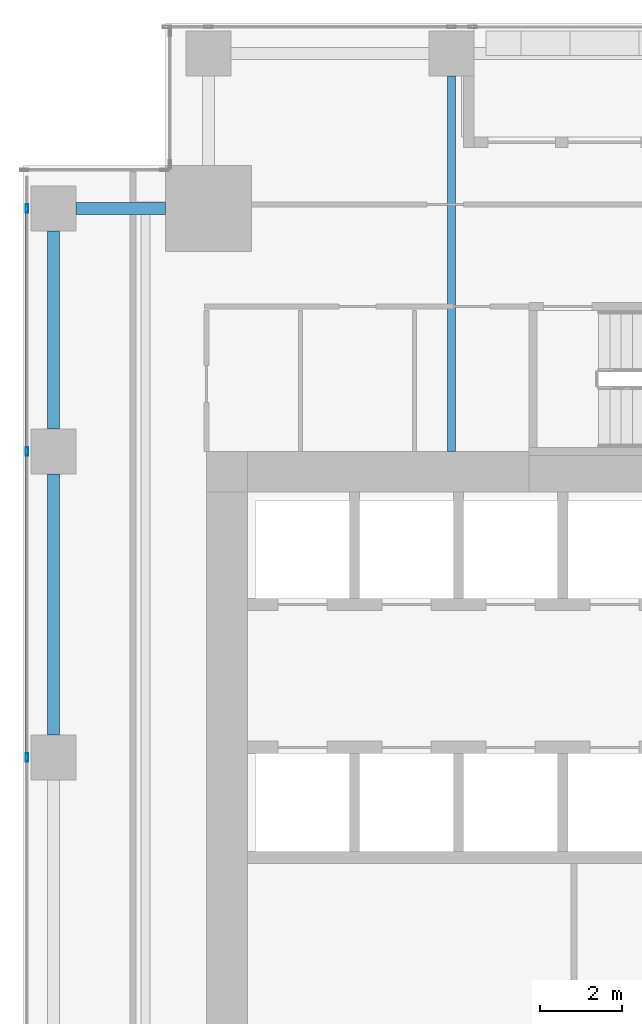
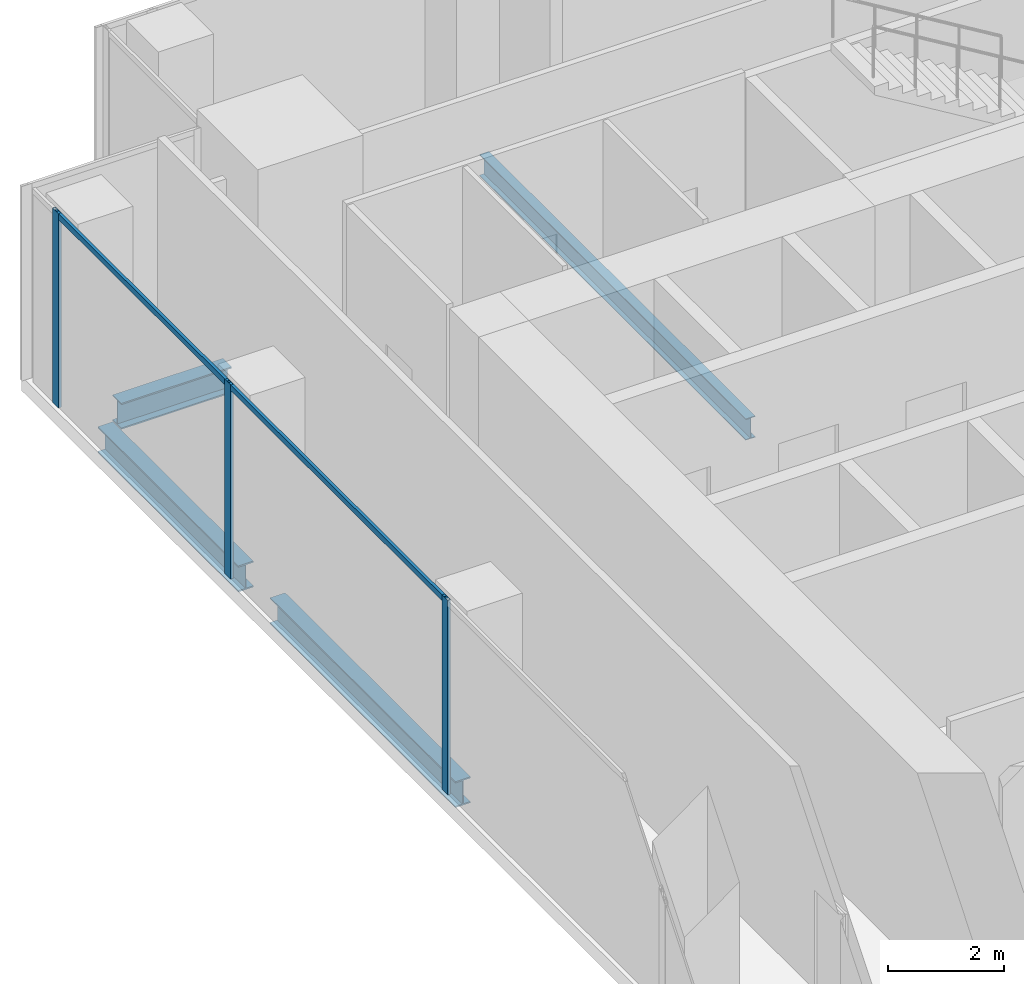
# One storey, part 14 of 34: 5 members, 4 beams, 1 element without a shape of its own.
"""IFC4 building model written with IfcOpenShell, lengths in metres."""

from ifc_helpers import new_model, si_unit, direction, frame, origin, origin_2d, place, context, subcontext, project, spatial, hollow_rectangle, i_section, extrude, source, transform, mapped, material, material_profile, profile_set, type_object, element, aggregate, save


model = new_model("IFC4")

# Units and contexts
model_context = context("Model", 3, precision=1e-05, world=origin(), true_north=direction((0.0, 1.0)))
body_context = subcontext(model_context, "Body", "Model", "MODEL_VIEW")
ifc_project = project(units=[si_unit("LENGTHUNIT", "METRE"), si_unit("AREAUNIT", "SQUARE_METRE"), si_unit("VOLUMEUNIT", "CUBIC_METRE"), si_unit("PLANEANGLEUNIT", "RADIAN"), si_unit("MASSUNIT", "GRAM", prefix="KILO")], contexts=[model_context])

# Site, building, storey
site_placement = place(None, origin())
site = spatial("IfcSite", under=ifc_project, at=site_placement, CompositionType="ELEMENT")
building_placement = place(site_placement, origin())
building = spatial("IfcBuilding", under=site, at=building_placement, Name="Khomas Fold Tower", CompositionType="ELEMENT")
storey_placement = place(building_placement, frame((0.0, 0.0, 145.5)))
storey = spatial("IfcBuildingStorey", under=building, at=storey_placement, Name="L31", CompositionType="ELEMENT", Elevation=145.5)

# Beams
ifc_material_1 = material(Name="Steel S355", Category="steel")
ifc_material_profile_1 = material_profile(ifc_material_1, i_section(OverallWidth=0.300048828125, OverallDepth=0.550048828125, WebThickness=0.014892578125, FlangeThickness=0.029052734375, at=origin_2d()), Name="HE 550 B")
ifc_profile_set_1 = profile_set([ifc_material_profile_1], Name="Steel S355")
beam_type_1 = type_object("IfcBeamType", Name="HE 550 B spandrel SB2", PredefinedType="SPANDREL", material=ifc_profile_set_1)
shared_shape_1 = source(origin(), body_context, "Body", "SweptSolid", [
    extrude(i_section(OverallWidth=0.300048828125, OverallDepth=0.550048828125, WebThickness=0.014892578125, FlangeThickness=0.029052734375, at=origin_2d()), origin(), (0.0, 0.0, 1.0), 4.849853515625),
])
beam_1_placement = place(storey_placement, frame((2.25, 42.550048828125, -0.574951171875), z_axis=(0.0, 1.0, 0.0), x_axis=(-1.0, 0.0, 0.0)))
element("IfcBeam", 1, at=beam_1_placement, inside=storey, type_object=beam_type_1, Name="SB2", PredefinedType="SPANDREL", context=body_context, shape_type="MappedRepresentation", body=[
    mapped(shared_shape_1, transform((0.0, 0.0, 0.0))),
])
shared_shape_2 = source(origin(), body_context, "Body", "SweptSolid", [
    extrude(i_section(OverallWidth=0.300048828125, OverallDepth=0.550048828125, WebThickness=0.014892578125, FlangeThickness=0.029052734375, at=origin_2d()), origin(), (0.0, 0.0, 1.0), 6.39990234375),
])
beam_2_placement = place(storey_placement, frame((2.25, 35.050048828125, -0.574951171875), z_axis=(0.0, 1.0, 0.0), x_axis=(-1.0, 0.0, 0.0)))
element("IfcBeam", 2, at=beam_2_placement, inside=storey, type_object=beam_type_1, Name="SB2", PredefinedType="SPANDREL", context=body_context, shape_type="MappedRepresentation", body=[
    mapped(shared_shape_2, transform((0.0, 0.0, 0.0))),
])
shared_shape_3 = source(origin(), body_context, "Body", "SweptSolid", [
    extrude(i_section(OverallWidth=0.300048828125, OverallDepth=0.550048828125, WebThickness=0.014892578125, FlangeThickness=0.029052734375, at=origin_2d()), origin(), (0.0, 0.0, 1.0), 2.199951171875),
])
beam_3_placement = place(storey_placement, frame((2.800048828125, 47.949951171875, -0.574951171875), z_axis=(1.0, 0.0, 0.0), x_axis=(0.0, 1.0, 0.0)))
element("IfcBeam", 3, at=beam_3_placement, inside=storey, type_object=beam_type_1, Name="SB2", PredefinedType="SPANDREL", context=body_context, shape_type="MappedRepresentation", body=[
    mapped(shared_shape_3, transform((0.0, 0.0, 0.0))),
])
ifc_material_2 = material(Name="Steel S355", Category="steel")
ifc_material_profile_2 = material_profile(ifc_material_2, i_section(OverallWidth=0.18994140625, OverallDepth=0.449951171875, WebThickness=0.009521484375, FlangeThickness=0.0146484375, at=origin_2d()), Name="IPE 450")
ifc_profile_set_2 = profile_set([ifc_material_profile_2], Name="Steel S355")
beam_type_2 = type_object("IfcBeamType", Name="IPE 450 beam JB4", PredefinedType="BEAM", material=ifc_profile_set_2)
shared_shape_4 = source(origin(), body_context, "Body", "SweptSolid", [
    extrude(i_section(OverallWidth=0.18994140625, OverallDepth=0.449951171875, WebThickness=0.009521484375, FlangeThickness=0.0146484375, at=origin_2d()), origin(), (0.0, 0.0, 1.0), 9.199951171875),
])
beam_4_placement = place(storey_placement, frame((12.0, 42.0, -0.52490234375), z_axis=(0.0, 1.0, 0.0), x_axis=(-1.0, 0.0, 0.0)))
element("IfcBeam", 4, at=beam_4_placement, inside=storey, type_object=beam_type_2, Name="JB4", PredefinedType="BEAM", context=body_context, shape_type="MappedRepresentation", body=[
    mapped(shared_shape_4, transform((0.0, 0.0, 0.0))),
])

# Curtain wall, members
ifc_material_3 = material(Name="Aluminium framed double glazing", Category="aluminium")
curtain_wall_type = type_object("IfcCurtainWallType", Name="SK-Unitised clear-glass wall, growing floors CW1", PredefinedType="NOTDEFINED", material=ifc_material_3)
curtain_wall_placement = place(storey_placement, origin())
curtain_wall = element("IfcCurtainWall", 5, at=curtain_wall_placement, inside=storey, type_object=curtain_wall_type, Name="CW1 run L31 09-0", PredefinedType="NOTDEFINED")
ifc_material_4 = material(Name="Aluminium", Category="aluminium")
ifc_material_profile_3 = material_profile(ifc_material_4, hollow_rectangle(XDim=0.06005859375, YDim=0.1201171875, WallThickness=0.00390625, at=origin_2d()), Name="SK-Unitised clear-glass wall, growing floors transom CW1-T")
ifc_profile_set_3 = profile_set([ifc_material_profile_3], Name="Aluminium")
member_type_1 = type_object("IfcMemberType", Name="SK-Unitised clear-glass wall, growing floors transom CW1-T", PredefinedType="USERDEFINED", material=ifc_profile_set_3)
shared_shape_5 = source(origin(), body_context, "Body", "SweptSolid", [
    extrude(hollow_rectangle(XDim=0.06005859375, YDim=0.1201171875, WallThickness=0.00390625, at=origin_2d()), origin(), (0.0, 0.0, 1.0), 7.43994140625),
])
member_1_placement = place(storey_placement, frame((1.60009765625, 41.969970703125, 4.0400390625), z_axis=(0.0, -1.0, 0.0), x_axis=(1.0, 0.0, 0.0)))
member_1 = element("IfcMember", 6, at=member_1_placement, type_object=member_type_1, Name="CW1 transom 3", ObjectType="TRANSOM", PredefinedType="USERDEFINED", context=body_context, shape_type="MappedRepresentation", body=[
    mapped(shared_shape_5, transform((0.0, 0.0, 0.0))),
])
ifc_material_5 = material(Name="Aluminium", Category="aluminium")
ifc_material_profile_4 = material_profile(ifc_material_5, hollow_rectangle(XDim=0.06005859375, YDim=0.199951171875, WallThickness=0.00390625, at=origin_2d()), Name="SK-Unitised clear-glass wall, growing floors mullion CW1-M")
ifc_profile_set_4 = profile_set([ifc_material_profile_4], Name="Aluminium")
member_type_2 = type_object("IfcMemberType", Name="SK-Unitised clear-glass wall, growing floors mullion CW1-M", PredefinedType="MULLION", material=ifc_profile_set_4)
shared_shape_6 = source(origin(), body_context, "Body", "SweptSolid", [
    extrude(hollow_rectangle(XDim=0.06005859375, YDim=0.199951171875, WallThickness=0.00390625, at=origin_2d()), origin(), (0.0, 0.0, 1.0), 4.10009765625),
])
member_2_placement = place(storey_placement, frame((1.60009765625, 47.949951171875, 0.0), z_axis=(0.0, 0.0, 1.0), x_axis=(1.0, 0.0, 0.0)))
member_2 = element("IfcMember", 7, at=member_2_placement, type_object=member_type_2, Name="CW1 mullion 2", PredefinedType="MULLION", context=body_context, shape_type="MappedRepresentation", body=[
    mapped(shared_shape_6, transform((0.0, 0.0, 0.0))),
])
member_3_placement = place(storey_placement, frame((1.60009765625, 42.0, 0.0), z_axis=(0.0, 0.0, 1.0), x_axis=(1.0, 0.0, 0.0)))
member_3 = element("IfcMember", 8, at=member_3_placement, type_object=member_type_2, Name="CW1 mullion 3", PredefinedType="MULLION", context=body_context, shape_type="MappedRepresentation", body=[
    mapped(shared_shape_6, transform((0.0, 0.0, 0.0))),
])
member_4_placement = place(storey_placement, frame((1.60009765625, 34.5, 0.0), z_axis=(0.0, 0.0, 1.0), x_axis=(1.0, 0.0, 0.0)))
member_4 = element("IfcMember", 9, at=member_4_placement, type_object=member_type_2, Name="CW1 mullion 4", PredefinedType="MULLION", context=body_context, shape_type="MappedRepresentation", body=[
    mapped(shared_shape_6, transform((0.0, 0.0, 0.0))),
])
shared_shape_7 = source(origin(), body_context, "Body", "SweptSolid", [
    extrude(hollow_rectangle(XDim=0.06005859375, YDim=0.1201171875, WallThickness=0.00390625, at=origin_2d()), origin(), (0.0, 0.0, 1.0), 5.889892578125),
])
member_5_placement = place(storey_placement, frame((1.60009765625, 47.919921875, 4.0400390625), z_axis=(0.0, -1.0, 0.0), x_axis=(1.0, 0.0, 0.0)))
member_5 = element("IfcMember", 10, at=member_5_placement, type_object=member_type_1, Name="CW1 transom 2", ObjectType="TRANSOM", PredefinedType="USERDEFINED", context=body_context, shape_type="MappedRepresentation", body=[
    mapped(shared_shape_7, transform((0.0, 0.0, 0.0))),
])
aggregate(curtain_wall, [member_2, member_3, member_4, member_5, member_1])

save(model, "model.ifc")
